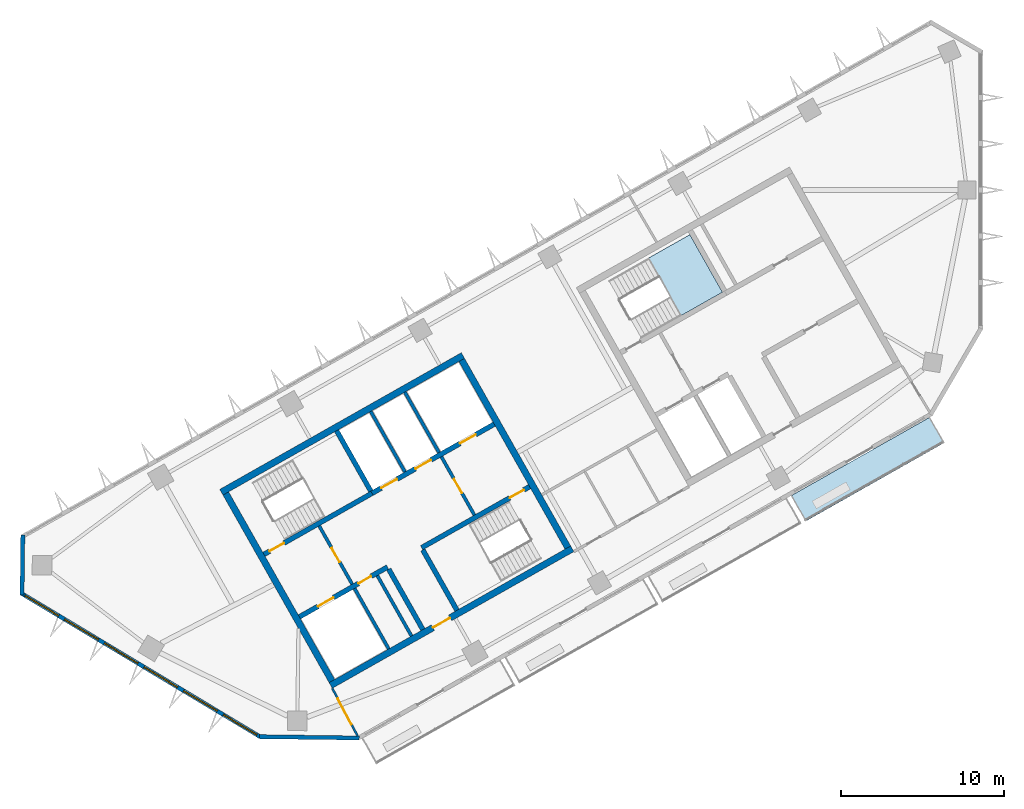
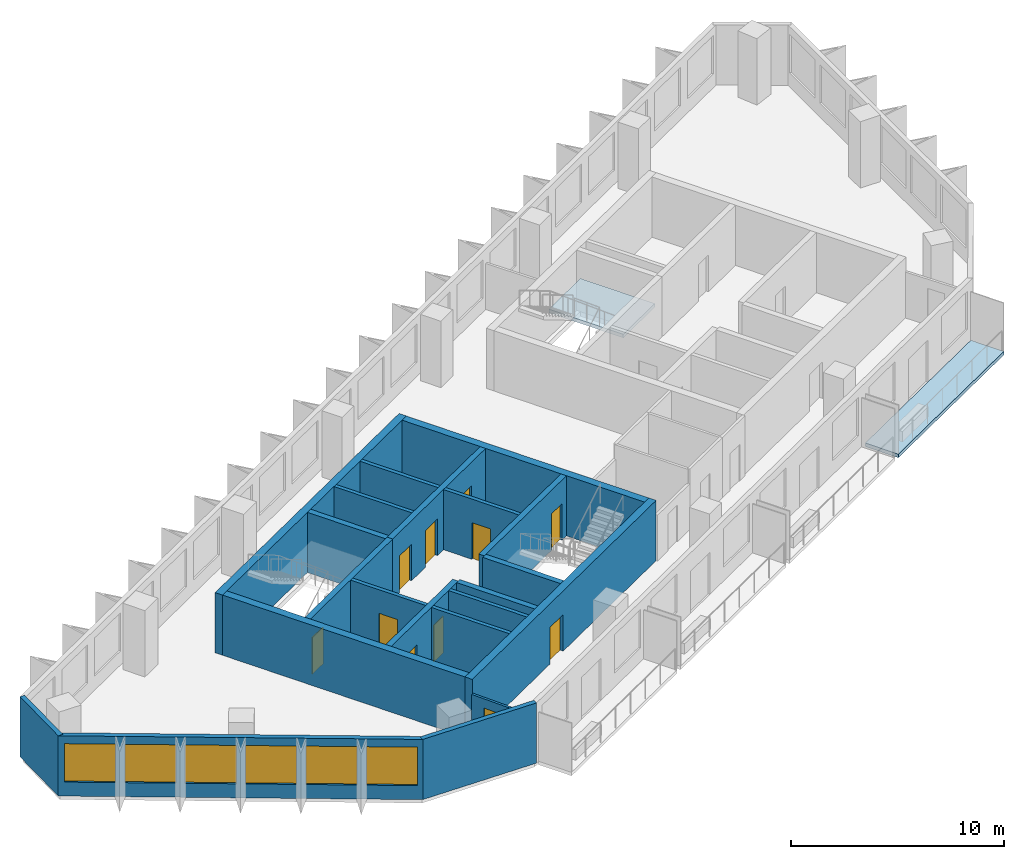
# One storey, part 2 of 8: 21 walls, 11 doors, 6 windows, 2 slabs, 17 openings, 1 element without a shape of its own.
"""IFC4 building model written with IfcOpenShell, lengths in metres."""

from ifc_helpers import new_model, si_unit, direction, frame, frame_2d, origin, place, context, subcontext, project, spatial, polyline, rectangle, outline, extrude, material, layer, layer_set, type_object, element, fill, aggregate, save


model = new_model("IFC4")

# Units and contexts
model_context = context("Model", 3, precision=1e-05, world=origin(), true_north=direction((0.0, 1.0)))
body_context = subcontext(model_context, "Body", "Model", "MODEL_VIEW")
ifc_project = project(units=[si_unit("LENGTHUNIT", "METRE"), si_unit("AREAUNIT", "SQUARE_METRE"), si_unit("VOLUMEUNIT", "CUBIC_METRE"), si_unit("PLANEANGLEUNIT", "RADIAN"), si_unit("MASSUNIT", "GRAM", prefix="KILO")], contexts=[model_context])

# Site, building, storey
site_placement = place(None, origin())
site = spatial("IfcSite", under=ifc_project, at=site_placement, CompositionType="ELEMENT")
building_placement = place(site_placement, origin())
building = spatial("IfcBuilding", under=site, at=building_placement, Name="Binnacle Exchange Tower", CompositionType="ELEMENT")
storey_placement = place(building_placement, frame((0.0, 0.0, 308.300048828125)))
storey = spatial("IfcBuildingStorey", under=building, at=storey_placement, Name="L69", CompositionType="ELEMENT", Elevation=308.300048828125)

# Slab
ifc_material_1 = material(Name="Concrete C35/45", Category="concrete")
ifc_layer_1 = layer(ifc_material_1, 0.199951171875)
ifc_layer_set_1 = layer_set([ifc_layer_1], Name="BALCONY SLAB 200")
slab_type_1 = type_object("IfcSlabType", Name="BALCONY SLAB 200", PredefinedType="FLOOR", material=ifc_layer_set_1)
slab_1_placement = place(storey_placement, frame((0.0, 0.0, -0.199951171875)))
element("IfcSlab", 1, at=slab_1_placement, inside=storey, type_object=slab_type_1, Name="Balcony BA-H07-03 L69", PredefinedType="FLOOR", context=body_context, shape_type="SweptSolid", body=[
    extrude(outline(polyline([(-11.616943359375, 41.28369140625), (-3.115234375, 46.093994140625), (-2.22900390625, 44.527099609375), (-10.730712890625, 39.717041015625), (-11.616943359375, 41.28369140625)])), origin(), (0.0, 0.0, 1.0), 0.199951171875),
])

# Stair, slab
stair_type = type_object("IfcStairType", Name="STAIR 22 RISERS 173", PredefinedType="HALF_TURN_STAIR", material=ifc_material_1)
stair_placement = place(storey_placement, origin())
stair = element("IfcStair", 2, at=stair_placement, inside=storey, type_object=stair_type, Name="L69 Escape stair C1", PredefinedType="HALF_TURN_STAIR")
ifc_layer_2 = layer(ifc_material_1, 0.199951171875)
ifc_layer_set_2 = layer_set([ifc_layer_2], Name="STAIR LANDING 200")
slab_type_2 = type_object("IfcSlabType", Name="STAIR LANDING 200", PredefinedType="LANDING", material=ifc_layer_set_2)
slab_2_placement = place(storey_placement, frame((0.0, 0.0, 1.699951171875)))
slab_2 = element("IfcSlab", 3, at=slab_2_placement, type_object=slab_type_2, Name="STC1 landing 1", PredefinedType="LANDING", context=body_context, shape_type="SweptSolid", body=[
    extrude(outline(polyline([(-18.364013671875, 52.31005859375), (-15.822509765625, 53.748046875), (-17.81689453125, 57.27294921875), (-20.3583984375, 55.8349609375), (-18.364013671875, 52.31005859375)])), origin(), (0.0, 0.0, 1.0), 0.199951171875),
])
aggregate(stair, [slab_2])

# Wall, openings, doors
ifc_material_2 = material(Name="Concrete C70/85", Category="concrete")
ifc_layer_3 = layer(ifc_material_2, 0.300048828125)
ifc_layer_set_3 = layer_set([ifc_layer_3], Name="Core wall - front 300")
wall_type_1 = type_object("IfcWallType", Name="Core wall - front 300", PredefinedType="SOLIDWALL", material=ifc_layer_set_3)
wall_1_placement = place(storey_placement, frame((-41.72998046875, 33.862548828125, 0.0), z_axis=(0.0, 0.0, 1.0), x_axis=(0.870350800578, 0.492432212525, 0.0)))
wall_1 = element("IfcWall", 4, at=wall_1_placement, inside=storey, type_object=wall_type_1, Name="Core wall CRWA2", PredefinedType="SOLIDWALL", context=body_context, shape_type="SweptSolid", body=[
    extrude(rectangle(XDim=6.19970703125, YDim=0.300048828125, at=frame_2d((3.099853515625, 0.0))), origin(), (0.0, 0.0, 1.0), 3.449951171875),
])
opening_1_placement = place(wall_1_placement, frame((1.300048828125, 0.0, 0.0)))
opening_1 = element("IfcOpeningElement", 5, at=opening_1_placement, cuts=wall_1, Name="Opening LD12", PredefinedType="OPENING", context=body_context, shape_type="SweptSolid", body=[
    extrude(rectangle(XDim=1.10009765625, YDim=2.10009765625, at=frame_2d((0.550048828125, 1.050048828125))), frame((0.0, 0.159912109375, 0.0), z_axis=(0.0, -1.0, 0.0), x_axis=(1.0, 0.0, 0.0)), (0.0, 0.0, 1.0), 0.320068359375),
])
opening_2_placement = place(wall_1_placement, frame((4.14990234375, 0.0, 0.0)))
opening_2 = element("IfcOpeningElement", 6, at=opening_2_placement, cuts=wall_1, Name="Opening DA14", PredefinedType="OPENING", context=body_context, shape_type="SweptSolid", body=[
    extrude(rectangle(XDim=0.89990234375, YDim=2.10009765625, at=frame_2d((0.449951171875, 1.050048828125))), frame((0.0, 0.159912109375, 0.0), z_axis=(0.0, -1.0, 0.0), x_axis=(1.0, 0.0, 0.0)), (0.0, 0.0, 1.0), 0.320068359375),
])
ifc_material_3 = material(Name="Steel door leaf", Category="steel")
door_type_1 = type_object("IfcDoorType", Name="Fire door - lift landing 1100", OperationType="NOTDEFINED", PredefinedType="DOOR", material=ifc_material_3)
door_1_placement = place(opening_1_placement, origin())
door_1 = element("IfcDoor", 7, at=door_1_placement, inside=storey, type_object=door_type_1, Name="Landing door LD12 L69", OperationType="DOUBLE_DOOR_SLIDING", OverallHeight=2.10009765625, OverallWidth=1.10009765625, PredefinedType="DOOR", context=body_context, shape_type="SweptSolid", body=[
    extrude(rectangle(XDim=1.10009765625, YDim=2.10009765625, at=frame_2d((0.550048828125, 1.050048828125))), frame((0.0, 0.02490234375, 0.0), z_axis=(0.0, -1.0, 0.0), x_axis=(1.0, 0.0, 0.0)), (0.0, 0.0, 1.0), 0.050048828125),
])
fill(opening_1, door_1)
door_type_2 = type_object("IfcDoorType", Name="Fire door 900", OperationType="NOTDEFINED", PredefinedType="DOOR", material=ifc_material_3)
door_2_placement = place(opening_2_placement, frame((0.89990234375, 0.0, 0.0), z_axis=(0.0, 0.0, 1.0), x_axis=(-1.0, 0.0, 0.0)))
door_2 = element("IfcDoor", 8, at=door_2_placement, inside=storey, type_object=door_type_2, Name="Core room door FIBRE ENTRY ROOM", OperationType="SINGLE_SWING_LEFT", OverallHeight=2.10009765625, OverallWidth=0.89990234375, PredefinedType="DOOR", context=body_context, shape_type="SweptSolid", body=[
    extrude(rectangle(XDim=0.89990234375, YDim=2.10009765625, at=frame_2d((0.449951171875, 1.050048828125))), frame((0.0, 0.02490234375, 0.0), z_axis=(0.0, -1.0, 0.0), x_axis=(1.0, 0.0, 0.0)), (0.0, 0.0, 1.0), 0.050048828125),
])
fill(opening_2, door_2)

wall_2_placement = place(storey_placement, frame((-37.281982421875, 41.4345703125, 0.0), z_axis=(0.0, 0.0, 1.0), x_axis=(0.870361315115, 0.492413628113, 0.0)))
wall_2 = element("IfcWall", 9, at=wall_2_placement, inside=storey, type_object=wall_type_1, Name="Core wall CRWA5", PredefinedType="SOLIDWALL", context=body_context, shape_type="SweptSolid", body=[
    extrude(rectangle(XDim=8.599609375, YDim=0.300048828125, at=frame_2d((4.2998046875, 0.0))), origin(), (0.0, 0.0, 1.0), 3.449951171875),
])
opening_3_placement = place(wall_2_placement, frame((0.650146484375, 0.0, 0.0)))
opening_3 = element("IfcOpeningElement", 10, at=opening_3_placement, cuts=wall_2, Name="Opening LD9", PredefinedType="OPENING", context=body_context, shape_type="SweptSolid", body=[
    extrude(rectangle(XDim=1.10009765625, YDim=2.10009765625, at=frame_2d((0.550048828125, 1.050048828125))), frame((0.0, 0.159912109375, 0.0), z_axis=(0.0, -1.0, 0.0), x_axis=(1.0, 0.0, 0.0)), (0.0, 0.0, 1.0), 0.320068359375),
])
opening_4_placement = place(wall_2_placement, frame((3.050048828125, 0.0, 0.0)))
opening_4 = element("IfcOpeningElement", 11, at=opening_4_placement, cuts=wall_2, Name="Opening LD10", PredefinedType="OPENING", context=body_context, shape_type="SweptSolid", body=[
    extrude(rectangle(XDim=1.10009765625, YDim=2.10009765625, at=frame_2d((0.550048828125, 1.050048828125))), frame((0.0, 0.159912109375, 0.0), z_axis=(0.0, -1.0, 0.0), x_axis=(1.0, 0.0, 0.0)), (0.0, 0.0, 1.0), 0.320068359375),
])
opening_5_placement = place(wall_2_placement, frame((6.199951171875, 0.0, 0.0)))
opening_5 = element("IfcOpeningElement", 12, at=opening_5_placement, cuts=wall_2, Name="Opening LD13", PredefinedType="OPENING", context=body_context, shape_type="SweptSolid", body=[
    extrude(rectangle(XDim=1.10009765625, YDim=2.10009765625, at=frame_2d((0.550048828125, 1.050048828125))), frame((0.0, 0.159912109375, 0.0), z_axis=(0.0, -1.0, 0.0), x_axis=(1.0, 0.0, 0.0)), (0.0, 0.0, 1.0), 0.320068359375),
])
door_3_placement = place(opening_3_placement, origin())
door_3 = element("IfcDoor", 13, at=door_3_placement, inside=storey, type_object=door_type_1, Name="Landing door LD9 L69", OperationType="DOUBLE_DOOR_SLIDING", OverallHeight=2.10009765625, OverallWidth=1.10009765625, PredefinedType="DOOR", context=body_context, shape_type="SweptSolid", body=[
    extrude(rectangle(XDim=1.10009765625, YDim=2.10009765625, at=frame_2d((0.550048828125, 1.050048828125))), frame((0.0, 0.02490234375, 0.0), z_axis=(0.0, -1.0, 0.0), x_axis=(1.0, 0.0, 0.0)), (0.0, 0.0, 1.0), 0.050048828125),
])
fill(opening_3, door_3)
door_4_placement = place(opening_4_placement, origin())
door_4 = element("IfcDoor", 14, at=door_4_placement, inside=storey, type_object=door_type_1, Name="Landing door LD10 L69", OperationType="DOUBLE_DOOR_SLIDING", OverallHeight=2.10009765625, OverallWidth=1.10009765625, PredefinedType="DOOR", context=body_context, shape_type="SweptSolid", body=[
    extrude(rectangle(XDim=1.10009765625, YDim=2.10009765625, at=frame_2d((0.550048828125, 1.050048828125))), frame((0.0, 0.02490234375, 0.0), z_axis=(0.0, -1.0, 0.0), x_axis=(1.0, 0.0, 0.0)), (0.0, 0.0, 1.0), 0.050048828125),
])
fill(opening_4, door_4)
door_5_placement = place(opening_5_placement, origin())
door_5 = element("IfcDoor", 15, at=door_5_placement, inside=storey, type_object=door_type_1, Name="Landing door LD13 L69", OperationType="DOUBLE_DOOR_SLIDING", OverallHeight=2.10009765625, OverallWidth=1.10009765625, PredefinedType="DOOR", context=body_context, shape_type="SweptSolid", body=[
    extrude(rectangle(XDim=1.10009765625, YDim=2.10009765625, at=frame_2d((0.550048828125, 1.050048828125))), frame((0.0, 0.02490234375, 0.0), z_axis=(0.0, -1.0, 0.0), x_axis=(1.0, 0.0, 0.0)), (0.0, 0.0, 1.0), 0.050048828125),
])
fill(opening_5, door_5)

# Wall
wall_3_placement = place(storey_placement, frame((-36.260009765625, 36.784912109375, 0.0), z_axis=(0.0, 0.0, 1.0), x_axis=(0.492422543467, -0.870356271124, 0.0)))
element("IfcWall", 16, at=wall_3_placement, inside=storey, type_object=wall_type_1, Name="Core wall CRWA13", PredefinedType="SOLIDWALL", context=body_context, shape_type="SweptSolid", body=[
    extrude(rectangle(XDim=4.25, YDim=0.300048828125, at=frame_2d((2.125, 0.0))), origin(), (0.0, 0.0, 1.0), 3.449951171875),
])

# Wall, opening, door
ifc_layer_4 = layer(ifc_material_2, 0.39990234375)
ifc_layer_set_4 = layer_set([ifc_layer_4], Name="Core wall - outer 400")
wall_type_2 = type_object("IfcWallType", Name="Core wall - outer 400", PredefinedType="SOLIDWALL", material=ifc_layer_set_4)
wall_4_placement = place(storey_placement, frame((-39.81298828125, 29.661865234375, 0.0), z_axis=(0.0, 0.0, 1.0), x_axis=(0.870350116061, 0.492433422375, 0.0)))
wall_4 = element("IfcWall", 17, at=wall_4_placement, inside=storey, type_object=wall_type_2, Name="Core wall CRWA1", PredefinedType="SOLIDWALL", context=body_context, shape_type="SweptSolid", body=[
    extrude(rectangle(XDim=17.0, YDim=0.39990234375, at=frame_2d((8.5, 0.0))), origin(), (0.0, 0.0, 1.0), 3.449951171875),
])
opening_6_placement = place(wall_4_placement, frame((7.199951171875, 0.0, 0.0)))
opening_6 = element("IfcOpeningElement", 18, at=opening_6_placement, cuts=wall_4, Name="Opening DA7", PredefinedType="OPENING", context=body_context, shape_type="SweptSolid", body=[
    extrude(rectangle(XDim=1.199951171875, YDim=2.10009765625, at=frame_2d((0.60009765625, 1.050048828125))), frame((0.0, 0.2099609375, 0.0), z_axis=(0.0, -1.0, 0.0), x_axis=(1.0, 0.0, 0.0)), (0.0, 0.0, 1.0), 0.419921875),
])
door_type_3 = type_object("IfcDoorType", Name="Fire door 1200", OperationType="NOTDEFINED", PredefinedType="DOOR", material=ifc_material_3)
door_6_placement = place(opening_6_placement, frame((1.199951171875, 0.0, 0.0), z_axis=(0.0, 0.0, 1.0), x_axis=(-1.0, 0.0, 0.0)))
door_6 = element("IfcDoor", 19, at=door_6_placement, inside=storey, type_object=door_type_3, Name="Lift lobby entrance door core A", OperationType="SINGLE_SWING_RIGHT", OverallHeight=2.10009765625, OverallWidth=1.199951171875, PredefinedType="DOOR", context=body_context, shape_type="SweptSolid", body=[
    extrude(rectangle(XDim=1.199951171875, YDim=2.10009765625, at=frame_2d((0.60009765625, 1.050048828125))), frame((0.0, 0.02490234375, 0.0), z_axis=(0.0, -1.0, 0.0), x_axis=(1.0, 0.0, 0.0)), (0.0, 0.0, 1.0), 0.050048828125),
])
fill(opening_6, door_6)

# Walls
wall_5_placement = place(storey_placement, frame((-46.510009765625, 41.498779296875, 0.0), z_axis=(0.0, 0.0, 1.0), x_axis=(0.870356271124, 0.492422543467, 0.0)))
element("IfcWall", 20, at=wall_5_placement, inside=storey, type_object=wall_type_2, Name="Core wall CRWA6", PredefinedType="SOLIDWALL", context=body_context, shape_type="SweptSolid", body=[
    extrude(rectangle(XDim=16.999755859375, YDim=0.39990234375, at=frame_2d((8.5, 0.0))), origin(), (0.0, 0.0, 1.0), 3.449951171875),
])
for number, where, z_axis, x_axis, name in (
    (21, (-46.237548828125, 41.423095703125, 0.0), (0.0, 0.0, 1.0), (0.492421663121, -0.870356769198, 0.0), "Core wall CRWA7"),
    (22, (-31.78955078125, 49.597412109375, 0.0), (0.0, 0.0, 1.0), (0.492421663121, -0.870356769198, 0.0), "Core wall CRWA22"),
):
    element("IfcWall", number, at=place(storey_placement, frame(where, z_axis=z_axis, x_axis=x_axis)), inside=storey, type_object=wall_type_2, Name=name, PredefinedType="SOLIDWALL", context=body_context, shape_type="SweptSolid", body=[
        extrude(rectangle(XDim=13.199951171875, YDim=0.39990234375, at=frame_2d((6.60009765625, 0.0))), origin(), (0.0, 0.0, 1.0), 3.449951171875),
    ])

# Wall, opening, door
ifc_layer_5 = layer(ifc_material_2, 0.300048828125)
ifc_layer_set_5 = layer_set([ifc_layer_5], Name="Core wall - stair 300")
wall_type_3 = type_object("IfcWallType", Name="Core wall - stair 300", PredefinedType="SOLIDWALL", material=ifc_layer_set_5)
wall_6_placement = place(storey_placement, frame((-34.2451171875, 38.097412109375, 0.0), z_axis=(0.0, 0.0, 1.0), x_axis=(0.870356351998, 0.492422400523, 0.0)))
wall_6 = element("IfcWall", 23, at=wall_6_placement, inside=storey, type_object=wall_type_3, Name="Core wall CRWA3", PredefinedType="SOLIDWALL", context=body_context, shape_type="SweptSolid", body=[
    extrude(rectangle(XDim=7.60009765625, YDim=0.300048828125, at=frame_2d((3.800048828125, 0.0))), origin(), (0.0, 0.0, 1.0), 3.449951171875),
])
opening_7_placement = place(wall_6_placement, frame((6.199951171875, 0.0, 0.0)))
opening_7 = element("IfcOpeningElement", 24, at=opening_7_placement, cuts=wall_6, Name="Opening DA2", PredefinedType="OPENING", context=body_context, shape_type="SweptSolid", body=[
    extrude(rectangle(XDim=1.0, YDim=2.10009765625, at=frame_2d((0.5, 1.050048828125))), frame((0.0, 0.159912109375, 0.0), z_axis=(0.0, -1.0, 0.0), x_axis=(1.0, 0.0, 0.0)), (0.0, 0.0, 1.0), 0.320068359375),
])
door_type_4 = type_object("IfcDoorType", Name="Fire door 1000", OperationType="NOTDEFINED", PredefinedType="DOOR", material=ifc_material_3)
door_7_placement = place(opening_7_placement, frame((1.0, 0.0, 0.0), z_axis=(0.0, 0.0, 1.0), x_axis=(-1.0, 0.0, 0.0)))
door_7 = element("IfcDoor", 25, at=door_7_placement, inside=storey, type_object=door_type_4, Name="Stair door ST-A2", OperationType="SINGLE_SWING_LEFT", OverallHeight=2.10009765625, OverallWidth=1.0, PredefinedType="DOOR", context=body_context, shape_type="SweptSolid", body=[
    extrude(rectangle(XDim=1.0, YDim=2.10009765625, at=frame_2d((0.5, 1.050048828125))), frame((0.0, 0.02490234375, 0.0), z_axis=(0.0, -1.0, 0.0), x_axis=(1.0, 0.0, 0.0)), (0.0, 0.0, 1.0), 0.050048828125),
])
fill(opening_7, door_7)

wall_7_placement = place(storey_placement, frame((-43.896728515625, 37.692138671875, 0.0), z_axis=(0.0, 0.0, 1.0), x_axis=(0.870356351998, 0.492422400523, 0.0)))
wall_7 = element("IfcWall", 26, at=wall_7_placement, inside=storey, type_object=wall_type_3, Name="Core wall CRWA4", PredefinedType="SOLIDWALL", context=body_context, shape_type="SweptSolid", body=[
    extrude(rectangle(XDim=7.60009765625, YDim=0.300048828125, at=frame_2d((3.800048828125, 0.0))), origin(), (0.0, 0.0, 1.0), 3.449951171875),
])
opening_8_placement = place(wall_7_placement, frame((0.39990234375, 0.0, 0.0)))
opening_8 = element("IfcOpeningElement", 27, at=opening_8_placement, cuts=wall_7, Name="Opening DA1", PredefinedType="OPENING", context=body_context, shape_type="SweptSolid", body=[
    extrude(rectangle(XDim=1.0, YDim=2.10009765625, at=frame_2d((0.5, 1.050048828125))), frame((0.0, 0.159912109375, 0.0), z_axis=(0.0, -1.0, 0.0), x_axis=(1.0, 0.0, 0.0)), (0.0, 0.0, 1.0), 0.320068359375),
])
door_8_placement = place(opening_8_placement, origin())
door_8 = element("IfcDoor", 28, at=door_8_placement, inside=storey, type_object=door_type_4, Name="Stair door ST-A1", OperationType="SINGLE_SWING_LEFT", OverallHeight=2.10009765625, OverallWidth=1.0, PredefinedType="DOOR", context=body_context, shape_type="SweptSolid", body=[
    extrude(rectangle(XDim=1.0, YDim=2.10009765625, at=frame_2d((0.5, 1.050048828125))), frame((0.0, 0.02490234375, 0.0), z_axis=(0.0, -1.0, 0.0), x_axis=(1.0, 0.0, 0.0)), (0.0, 0.0, 1.0), 0.050048828125),
])
fill(opening_8, door_8)

# Walls
for number, where, z_axis, x_axis, name in (
    (29, (-39.44873046875, 45.263916015625, 0.0), (0.0, 0.0, 1.0), (0.492422543467, -0.870356271124, 0.0), "Core wall CRWA14"),
    (30, (-34.171142578125, 37.966796875, 0.0), (0.0, 0.0, 1.0), (0.492422543467, -0.870356271124, 0.0), "Core wall CRWA16"),
):
    element("IfcWall", number, at=place(storey_placement, frame(where, z_axis=z_axis, x_axis=x_axis)), inside=storey, type_object=wall_type_3, Name=name, PredefinedType="SOLIDWALL", context=body_context, shape_type="SweptSolid", body=[
        extrude(rectangle(XDim=4.25, YDim=0.300048828125, at=frame_2d((2.125, 0.0))), origin(), (0.0, 0.0, 1.0), 3.449951171875),
    ])
ifc_material_4 = material(Name="Bronze aluminium cladding", Category="aluminium")
ifc_layer_6 = layer(ifc_material_4, 0.25)
ifc_layer_set_6 = layer_set([ifc_layer_6], Name="External wall - window wall 250")
wall_type_4 = type_object("IfcWallType", Name="External wall - window wall 250", PredefinedType="STANDARD", material=ifc_layer_set_6)
wall_8_placement = place(storey_placement, frame((-58.717041015625, 35.208251953125, 0.0), z_axis=(0.0, 0.0, 1.0), x_axis=(0.01310512158, 0.999914124207, 0.0)))
element("IfcWall", 31, at=wall_8_placement, inside=storey, type_object=wall_type_4, Name="External wall EW-H04 L69", PredefinedType="STANDARD", context=body_context, shape_type="SweptSolid", body=[
    extrude(rectangle(XDim=3.669921875, YDim=0.25, at=frame_2d((1.8349609375, 0.0))), origin(), (0.0, 0.0, 1.0), 3.449951171875),
])

# Wall, openings, windows
wall_9_placement = place(storey_placement, frame((-44.115234375, 26.507080078125, 0.0), z_axis=(0.0, 0.0, 1.0), x_axis=(-0.857166583633, 0.515039268311, 0.0)))
wall_9 = element("IfcWall", 32, at=wall_9_placement, inside=storey, type_object=wall_type_4, Name="External wall EW-H05 L69", PredefinedType="STANDARD", context=body_context, shape_type="SweptSolid", body=[
    extrude(rectangle(XDim=17.105712890625, YDim=0.25, at=frame_2d((8.552734375, 0.0))), origin(), (0.0, 0.0, 1.0), 3.449951171875),
])
opening_9_placement = place(wall_9_placement, frame((14.4169921875, 0.0, 0.800048828125)))
opening_9 = element("IfcOpeningElement", 33, at=opening_9_placement, cuts=wall_9, Name="Opening WR2", PredefinedType="OPENING", context=body_context, shape_type="SweptSolid", body=[
    extrude(rectangle(XDim=2.39990234375, YDim=2.199951171875, at=frame_2d((1.199951171875, 1.10009765625))), frame((0.0, 0.135009765625, 0.0), z_axis=(0.0, -1.0, 0.0), x_axis=(1.0, 0.0, 0.0)), (0.0, 0.0, 1.0), 0.27001953125),
])
opening_10_placement = place(wall_9_placement, frame((11.583740234375, 0.0, 0.800048828125)))
opening_10 = element("IfcOpeningElement", 34, at=opening_10_placement, cuts=wall_9, Name="Opening WR2", PredefinedType="OPENING", context=body_context, shape_type="SweptSolid", body=[
    extrude(rectangle(XDim=2.39990234375, YDim=2.199951171875, at=frame_2d((1.199951171875, 1.10009765625))), frame((0.0, 0.135009765625, 0.0), z_axis=(0.0, -1.0, 0.0), x_axis=(1.0, 0.0, 0.0)), (0.0, 0.0, 1.0), 0.27001953125),
])
opening_11_placement = place(wall_9_placement, frame((8.75048828125, 0.0, 0.800048828125)))
opening_11 = element("IfcOpeningElement", 35, at=opening_11_placement, cuts=wall_9, Name="Opening WR2", PredefinedType="OPENING", context=body_context, shape_type="SweptSolid", body=[
    extrude(rectangle(XDim=2.39990234375, YDim=2.199951171875, at=frame_2d((1.199951171875, 1.10009765625))), frame((0.0, 0.135009765625, 0.0), z_axis=(0.0, -1.0, 0.0), x_axis=(1.0, 0.0, 0.0)), (0.0, 0.0, 1.0), 0.27001953125),
])
opening_12_placement = place(wall_9_placement, frame((5.9169921875, 0.0, 0.800048828125)))
opening_12 = element("IfcOpeningElement", 36, at=opening_12_placement, cuts=wall_9, Name="Opening WR2", PredefinedType="OPENING", context=body_context, shape_type="SweptSolid", body=[
    extrude(rectangle(XDim=2.39990234375, YDim=2.199951171875, at=frame_2d((1.199951171875, 1.10009765625))), frame((0.0, 0.135009765625, 0.0), z_axis=(0.0, -1.0, 0.0), x_axis=(1.0, 0.0, 0.0)), (0.0, 0.0, 1.0), 0.27001953125),
])
opening_13_placement = place(wall_9_placement, frame((3.083740234375, 0.0, 0.800048828125)))
opening_13 = element("IfcOpeningElement", 37, at=opening_13_placement, cuts=wall_9, Name="Opening WR2", PredefinedType="OPENING", context=body_context, shape_type="SweptSolid", body=[
    extrude(rectangle(XDim=2.39990234375, YDim=2.199951171875, at=frame_2d((1.199951171875, 1.10009765625))), frame((0.0, 0.135009765625, 0.0), z_axis=(0.0, -1.0, 0.0), x_axis=(1.0, 0.0, 0.0)), (0.0, 0.0, 1.0), 0.27001953125),
])
opening_14_placement = place(wall_9_placement, frame((0.25048828125, 0.0, 0.800048828125)))
opening_14 = element("IfcOpeningElement", 38, at=opening_14_placement, cuts=wall_9, Name="Opening WR2", PredefinedType="OPENING", context=body_context, shape_type="SweptSolid", body=[
    extrude(rectangle(XDim=2.39990234375, YDim=2.199951171875, at=frame_2d((1.199951171875, 1.10009765625))), frame((0.0, 0.135009765625, 0.0), z_axis=(0.0, -1.0, 0.0), x_axis=(1.0, 0.0, 0.0)), (0.0, 0.0, 1.0), 0.27001953125),
])
ifc_material_5 = material(Name="Bronze anodised aluminium frame", Category="aluminium")
window_type = type_object("IfcWindowType", Name="WR2 WINDOW 2400x2200", PartitioningType="SINGLE_PANEL", PredefinedType="WINDOW", material=ifc_material_5)
window_1_placement = place(opening_9_placement, origin())
window_1 = element("IfcWindow", 39, at=window_1_placement, inside=storey, type_object=window_type, Name="Window WR2 L69", OverallHeight=2.199951171875, OverallWidth=2.39990234375, PartitioningType="SINGLE_PANEL", PredefinedType="WINDOW", context=body_context, shape_type="SweptSolid", body=[
    extrude(rectangle(XDim=2.39990234375, YDim=2.199951171875, at=frame_2d((1.199951171875, 1.10009765625))), frame((0.0, 0.030029296875, 0.0), z_axis=(0.0, -1.0, 0.0), x_axis=(1.0, 0.0, 0.0)), (0.0, 0.0, 1.0), 0.06005859375),
])
fill(opening_9, window_1)
window_2_placement = place(opening_10_placement, origin())
window_2 = element("IfcWindow", 40, at=window_2_placement, inside=storey, type_object=window_type, Name="Window WR2 L69", OverallHeight=2.199951171875, OverallWidth=2.39990234375, PartitioningType="SINGLE_PANEL", PredefinedType="WINDOW", context=body_context, shape_type="SweptSolid", body=[
    extrude(rectangle(XDim=2.39990234375, YDim=2.199951171875, at=frame_2d((1.199951171875, 1.10009765625))), frame((0.0, 0.030029296875, 0.0), z_axis=(0.0, -1.0, 0.0), x_axis=(1.0, 0.0, 0.0)), (0.0, 0.0, 1.0), 0.06005859375),
])
fill(opening_10, window_2)
window_3_placement = place(opening_11_placement, origin())
window_3 = element("IfcWindow", 41, at=window_3_placement, inside=storey, type_object=window_type, Name="Window WR2 L69", OverallHeight=2.199951171875, OverallWidth=2.39990234375, PartitioningType="SINGLE_PANEL", PredefinedType="WINDOW", context=body_context, shape_type="SweptSolid", body=[
    extrude(rectangle(XDim=2.39990234375, YDim=2.199951171875, at=frame_2d((1.199951171875, 1.10009765625))), frame((0.0, 0.030029296875, 0.0), z_axis=(0.0, -1.0, 0.0), x_axis=(1.0, 0.0, 0.0)), (0.0, 0.0, 1.0), 0.06005859375),
])
fill(opening_11, window_3)
window_4_placement = place(opening_12_placement, origin())
window_4 = element("IfcWindow", 42, at=window_4_placement, inside=storey, type_object=window_type, Name="Window WR2 L69", OverallHeight=2.199951171875, OverallWidth=2.39990234375, PartitioningType="SINGLE_PANEL", PredefinedType="WINDOW", context=body_context, shape_type="SweptSolid", body=[
    extrude(rectangle(XDim=2.39990234375, YDim=2.199951171875, at=frame_2d((1.199951171875, 1.10009765625))), frame((0.0, 0.030029296875, 0.0), z_axis=(0.0, -1.0, 0.0), x_axis=(1.0, 0.0, 0.0)), (0.0, 0.0, 1.0), 0.06005859375),
])
fill(opening_12, window_4)
window_5_placement = place(opening_13_placement, origin())
window_5 = element("IfcWindow", 43, at=window_5_placement, inside=storey, type_object=window_type, Name="Window WR2 L69", OverallHeight=2.199951171875, OverallWidth=2.39990234375, PartitioningType="SINGLE_PANEL", PredefinedType="WINDOW", context=body_context, shape_type="SweptSolid", body=[
    extrude(rectangle(XDim=2.39990234375, YDim=2.199951171875, at=frame_2d((1.199951171875, 1.10009765625))), frame((0.0, 0.030029296875, 0.0), z_axis=(0.0, -1.0, 0.0), x_axis=(1.0, 0.0, 0.0)), (0.0, 0.0, 1.0), 0.06005859375),
])
fill(opening_13, window_5)
window_6_placement = place(opening_14_placement, origin())
window_6 = element("IfcWindow", 44, at=window_6_placement, inside=storey, type_object=window_type, Name="Window WR2 L69", OverallHeight=2.199951171875, OverallWidth=2.39990234375, PartitioningType="SINGLE_PANEL", PredefinedType="WINDOW", context=body_context, shape_type="SweptSolid", body=[
    extrude(rectangle(XDim=2.39990234375, YDim=2.199951171875, at=frame_2d((1.199951171875, 1.10009765625))), frame((0.0, 0.030029296875, 0.0), z_axis=(0.0, -1.0, 0.0), x_axis=(1.0, 0.0, 0.0)), (0.0, 0.0, 1.0), 0.06005859375),
])
fill(opening_14, window_6)

# Wall
wall_10_placement = place(storey_placement, frame((-38.06396484375, 26.44482421875, 0.0), z_axis=(0.0, 0.0, 1.0), x_axis=(-0.999914239143, 0.013096349097, 0.0)))
element("IfcWall", 45, at=wall_10_placement, inside=storey, type_object=wall_type_4, Name="External wall EW-H06 L69", PredefinedType="STANDARD", context=body_context, shape_type="SweptSolid", body=[
    extrude(rectangle(XDim=6.114501953125, YDim=0.25, at=frame_2d((3.05712890625, 0.0))), origin(), (0.0, 0.0, 1.0), 3.449951171875),
])

# Wall, opening, door
ifc_material_6 = material(Name="Masonry block wall", Category="masonry")
ifc_layer_7 = layer(ifc_material_6, 0.199951171875)
ifc_layer_set_7 = layer_set([ifc_layer_7], Name="Fire wall - vestibule 200")
wall_type_5 = type_object("IfcWallType", Name="Fire wall - vestibule 200", PredefinedType="PARTITIONING", material=ifc_layer_set_7)
wall_11_placement = place(storey_placement, frame((-40.515625, 39.4326171875, 0.0), z_axis=(0.0, 0.0, 1.0), x_axis=(0.492453559952, -0.87033872216, 0.0)))
wall_11 = element("IfcWall", 46, at=wall_11_placement, inside=storey, type_object=wall_type_5, Name="Core wall CRWA10", PredefinedType="PARTITIONING", context=body_context, shape_type="SweptSolid", body=[
    extrude(rectangle(XDim=4.099853515625, YDim=0.199951171875, at=frame_2d((2.0498046875, 0.0))), origin(), (0.0, 0.0, 1.0), 3.449951171875),
])
opening_15_placement = place(wall_11_placement, frame((1.550048828125, 0.0, 0.0)))
opening_15 = element("IfcOpeningElement", 47, at=opening_15_placement, cuts=wall_11, Name="Opening DA3", PredefinedType="OPENING", context=body_context, shape_type="SweptSolid", body=[
    extrude(rectangle(XDim=1.0, YDim=2.10009765625, at=frame_2d((0.5, 1.050048828125))), frame((0.0, 0.10986328125, 0.0), z_axis=(0.0, -1.0, 0.0), x_axis=(1.0, 0.0, 0.0)), (0.0, 0.0, 1.0), 0.219970703125),
])
door_9_placement = place(opening_15_placement, frame((1.0, 0.0, 0.0), z_axis=(0.0, 0.0, 1.0), x_axis=(-1.0, 0.0, 0.0)))
door_9 = element("IfcDoor", 48, at=door_9_placement, inside=storey, type_object=door_type_4, Name="Vestibule door VEST-W", OperationType="SINGLE_SWING_LEFT", OverallHeight=2.10009765625, OverallWidth=1.0, PredefinedType="DOOR", context=body_context, shape_type="SweptSolid", body=[
    extrude(rectangle(XDim=1.0, YDim=2.10009765625, at=frame_2d((0.5, 1.050048828125))), frame((0.0, 0.02490234375, 0.0), z_axis=(0.0, -1.0, 0.0), x_axis=(1.0, 0.0, 0.0)), (0.0, 0.0, 1.0), 0.050048828125),
])
fill(opening_15, door_9)

wall_12_placement = place(storey_placement, frame((-33.030517578125, 43.66748046875, 0.0), z_axis=(0.0, 0.0, 1.0), x_axis=(0.492408451753, -0.87036424366, 0.0)))
wall_12 = element("IfcWall", 49, at=wall_12_placement, inside=storey, type_object=wall_type_5, Name="Core wall CRWA19", PredefinedType="PARTITIONING", context=body_context, shape_type="SweptSolid", body=[
    extrude(rectangle(XDim=4.099853515625, YDim=0.199951171875, at=frame_2d((2.0498046875, 0.0))), origin(), (0.0, 0.0, 1.0), 3.449951171875),
])
opening_16_placement = place(wall_12_placement, frame((1.550048828125, 0.0, 0.0)))
opening_16 = element("IfcOpeningElement", 50, at=opening_16_placement, cuts=wall_12, Name="Opening DA4", PredefinedType="OPENING", context=body_context, shape_type="SweptSolid", body=[
    extrude(rectangle(XDim=1.0, YDim=2.10009765625, at=frame_2d((0.5, 1.050048828125))), frame((0.0, 0.10986328125, 0.0), z_axis=(0.0, -1.0, 0.0), x_axis=(1.0, 0.0, 0.0)), (0.0, 0.0, 1.0), 0.219970703125),
])
door_10_placement = place(opening_16_placement, origin())
door_10 = element("IfcDoor", 51, at=door_10_placement, inside=storey, type_object=door_type_4, Name="Vestibule door VEST-E", OperationType="SINGLE_SWING_RIGHT", OverallHeight=2.10009765625, OverallWidth=1.0, PredefinedType="DOOR", context=body_context, shape_type="SweptSolid", body=[
    extrude(rectangle(XDim=1.0, YDim=2.10009765625, at=frame_2d((0.5, 1.050048828125))), frame((0.0, 0.02490234375, 0.0), z_axis=(0.0, -1.0, 0.0), x_axis=(1.0, 0.0, 0.0)), (0.0, 0.0, 1.0), 0.050048828125),
])
fill(opening_16, door_10)

ifc_material_7 = material(Name="Gypsum partition")
ifc_layer_8 = layer(ifc_material_7, 0.125)
ifc_layer_set_8 = layer_set([ifc_layer_8], Name="Partition 125")
wall_type_6 = type_object("IfcWallType", Name="Partition 125", PredefinedType="PARTITIONING", material=ifc_layer_set_8)
wall_13_placement = place(storey_placement, frame((-39.715087890625, 29.488037109375, 0.0), z_axis=(0.0, 0.0, 1.0), x_axis=(0.469248890304, -0.883065953906, 0.0)))
wall_13 = element("IfcWall", 52, at=wall_13_placement, inside=storey, type_object=wall_type_6, Name="Partition W01", PredefinedType="PARTITIONING", context=body_context, shape_type="SweptSolid", body=[
    extrude(rectangle(XDim=3.30322265625, YDim=0.125, at=frame_2d((1.651611328125, 0.0))), origin(), (0.0, 0.0, 1.0), 2.6298828125),
])
opening_17_placement = place(wall_13_placement, frame((0.699951171875, 0.0, 0.0)))
opening_17 = element("IfcOpeningElement", 53, at=opening_17_placement, cuts=wall_13, Name="Opening DL68-04", PredefinedType="OPENING", context=body_context, shape_type="SweptSolid", body=[
    extrude(rectangle(XDim=1.800048828125, YDim=2.10009765625, at=frame_2d((0.89990234375, 1.050048828125))), frame((0.0, 0.072509765625, 0.0), z_axis=(0.0, -1.0, 0.0), x_axis=(1.0, 0.0, 0.0)), (0.0, 0.0, 1.0), 0.14501953125),
])
ifc_material_8 = material(Name="Timber door leaf", Category="wood")
door_type_5 = type_object("IfcDoorType", Name="Double door 1800", OperationType="NOTDEFINED", PredefinedType="DOOR", material=ifc_material_8)
door_11_placement = place(opening_17_placement, frame((1.800048828125, 0.0, 0.0), z_axis=(0.0, 0.0, 1.0), x_axis=(-1.0, 0.0, 0.0)))
door_11 = element("IfcDoor", 54, at=door_11_placement, inside=storey, type_object=door_type_5, Name="Door DL68-04", OperationType="DOUBLE_DOOR_SINGLE_SWING", OverallHeight=2.10009765625, OverallWidth=1.800048828125, PredefinedType="DOOR", context=body_context, shape_type="SweptSolid", body=[
    extrude(rectangle(XDim=1.800048828125, YDim=2.10009765625, at=frame_2d((0.89990234375, 1.050048828125))), frame((0.0, 0.02490234375, 0.0), z_axis=(0.0, -1.0, 0.0), x_axis=(1.0, 0.0, 0.0)), (0.0, 0.0, 1.0), 0.050048828125),
])
fill(opening_17, door_11)

# Walls
ifc_layer_9 = layer(ifc_material_6, 0.199951171875)
ifc_layer_set_9 = layer_set([ifc_layer_9], Name="Riser wall 200")
wall_type_7 = type_object("IfcWallType", Name="Riser wall 200", PredefinedType="SOLIDWALL", material=ifc_layer_set_9)
wall_14_placement = place(storey_placement, frame((-36.956298828125, 36.39111328125, 0.0), z_axis=(0.0, 0.0, 1.0), x_axis=(0.492397924348, -0.870370199454, 0.0)))
element("IfcWall", 55, at=wall_14_placement, inside=storey, type_object=wall_type_7, Name="Core wall CRWA12", PredefinedType="SOLIDWALL", context=body_context, shape_type="SweptSolid", body=[
    extrude(rectangle(XDim=4.250244140625, YDim=0.199951171875, at=frame_2d((2.125, 0.0))), origin(), (0.0, 0.0, 1.0), 3.449951171875),
])
ifc_layer_10 = layer(ifc_material_6, 0.199951171875)
ifc_layer_set_10 = layer_set([ifc_layer_10], Name="Shaft wall 200")
wall_type_8 = type_object("IfcWallType", Name="Shaft wall 200", PredefinedType="SOLIDWALL", material=ifc_layer_set_10)
wall_15_placement = place(storey_placement, frame((-38.348876953125, 35.603271484375, 0.0), z_axis=(0.0, 0.0, 1.0), x_axis=(0.492397924348, -0.870370199454, 0.0)))
element("IfcWall", 56, at=wall_15_placement, inside=storey, type_object=wall_type_8, Name="Core wall CRWA9", PredefinedType="SOLIDWALL", context=body_context, shape_type="SweptSolid", body=[
    extrude(rectangle(XDim=4.250244140625, YDim=0.199951171875, at=frame_2d((2.125, 0.0))), origin(), (0.0, 0.0, 1.0), 3.449951171875),
])
for number, where, z_axis, x_axis, name in (
    (57, (-37.35986328125, 46.44580078125, 0.0), (0.0, 0.0, 1.0), (0.492422543467, -0.870356271124, 0.0), "Core wall CRWA17"),
    (58, (-35.27099609375, 47.627685546875, 0.0), (0.0, 0.0, 1.0), (0.492422543467, -0.870356271124, 0.0), "Core wall CRWA21"),
):
    element("IfcWall", number, at=place(storey_placement, frame(where, z_axis=z_axis, x_axis=x_axis)), inside=storey, type_object=wall_type_8, Name=name, PredefinedType="SOLIDWALL", context=body_context, shape_type="SweptSolid", body=[
        extrude(rectangle(XDim=4.25, YDim=0.199951171875, at=frame_2d((2.125, 0.0))), origin(), (0.0, 0.0, 1.0), 3.449951171875),
    ])

save(model, "model.ifc")
